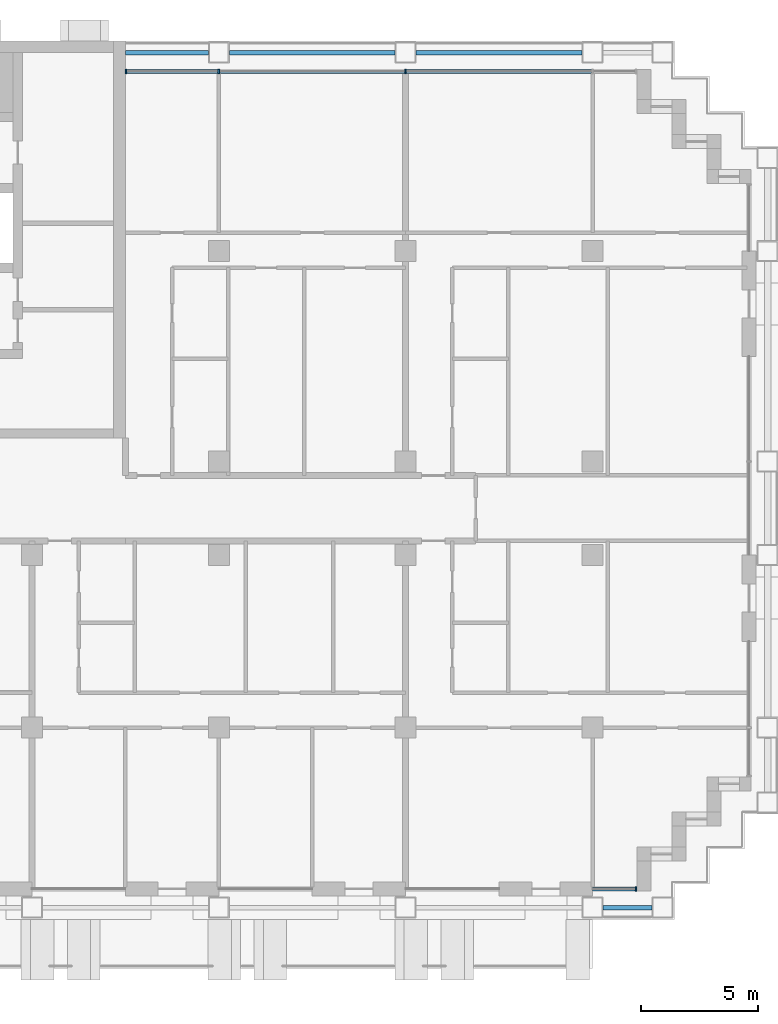
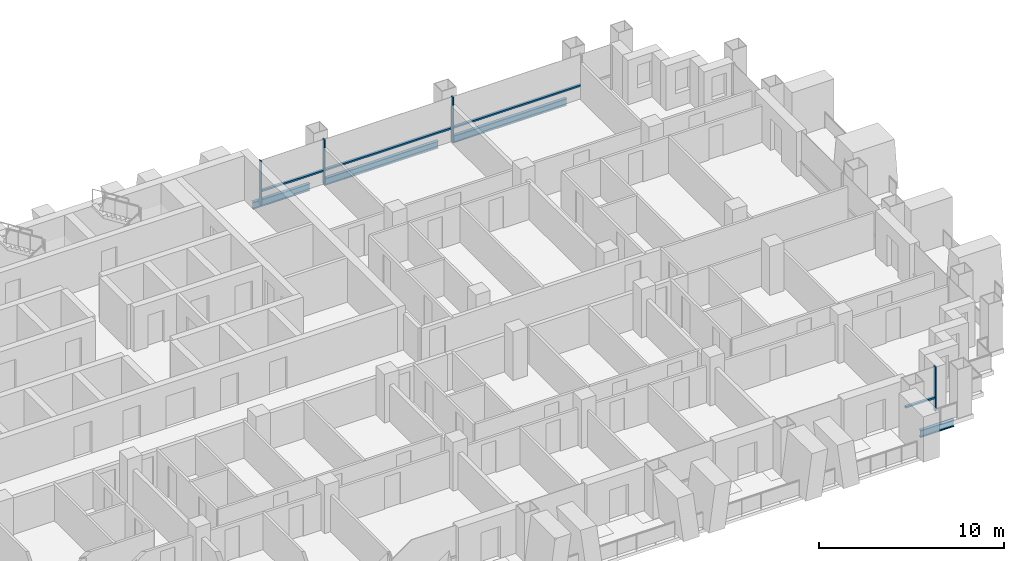
# One storey, part 5 of 18: 8 members, 4 beams, 2 elements without a shape of their own.
"""IFC4 building model written with IfcOpenShell, lengths in metres."""

from ifc_helpers import new_model, si_unit, direction, frame, origin, origin_2d, place, context, subcontext, project, spatial, rectangle, i_section, extrude, material, material_profile, profile_set, type_object, element, aggregate, save


model = new_model("IFC4")

# Units and contexts
model_context = context("Model", 3, precision=1e-05, world=origin(), true_north=direction((0.0, 1.0)))
body_context = subcontext(model_context, "Body", "Model", "MODEL_VIEW")
ifc_project = project(units=[si_unit("LENGTHUNIT", "METRE"), si_unit("AREAUNIT", "SQUARE_METRE"), si_unit("VOLUMEUNIT", "CUBIC_METRE"), si_unit("PLANEANGLEUNIT", "RADIAN"), si_unit("MASSUNIT", "GRAM", prefix="KILO")], contexts=[model_context])

# Site, building, storey
site_placement = place(None, origin())
site = spatial("IfcSite", under=ifc_project, at=site_placement, CompositionType="ELEMENT")
building_placement = place(site_placement, origin())
building = spatial("IfcBuilding", under=site, at=building_placement, Name="Vidyagriha Tower", CompositionType="ELEMENT")
storey_placement = place(building_placement, frame((0.0, 0.0, 83.89990234375)))
storey = spatial("IfcBuildingStorey", under=building, at=storey_placement, Name="L21", CompositionType="ELEMENT", Elevation=83.89990234375)

# Beams
ifc_material_1 = material(Name="Steel ASTM A992 Grade 50", Category="steel")
ifc_material_profile_1 = material_profile(ifc_material_1, i_section(OverallWidth=0.19189453125, OverallDepth=0.46240234375, WebThickness=0.010498046875, FlangeThickness=0.017578125, at=origin_2d()), Name="W18X60")
ifc_profile_set_1 = profile_set([ifc_material_profile_1], Name="Steel ASTM A992 Grade 50")
beam_type = type_object("IfcBeamType", Name="Edge beam W18X60", PredefinedType="SPANDREL", material=ifc_profile_set_1)
beam_1_placement = place(storey_placement, frame((34.449951171875, -17.10009765625, -0.510986328125), z_axis=(1.0, 0.0, 0.0), x_axis=(0.0, 1.0, 0.0)))
element("IfcBeam", 1, at=beam_1_placement, inside=storey, type_object=beam_type, Name="st-beam-L21-S09", PredefinedType="SPANDREL", context=body_context, shape_type="SweptSolid", body=[
    extrude(i_section(OverallWidth=0.19189453125, OverallDepth=0.46240234375, WebThickness=0.010498046875, FlangeThickness=0.017578125, at=origin_2d()), origin(), (0.0, 0.0, 1.0), 2.10009765625),
])
for number, where, z_axis, x_axis, name in (
    (2, (18.449951171875, 19.5, -0.510986328125), (1.0, 0.0, 0.0), (0.0, 1.0, 0.0), "st-beam-L21-NE21"),
    (3, (26.449951171875, 19.5, -0.510986328125), (1.0, 0.0, 0.0), (0.0, 1.0, 0.0), "st-beam-L21-NE22"),
):
    element("IfcBeam", number, at=place(storey_placement, frame(where, z_axis=z_axis, x_axis=x_axis)), inside=storey, type_object=beam_type, Name=name, PredefinedType="SPANDREL", context=body_context, shape_type="SweptSolid", body=[
        extrude(i_section(OverallWidth=0.19189453125, OverallDepth=0.46240234375, WebThickness=0.010498046875, FlangeThickness=0.017578125, at=origin_2d()), origin(), (0.0, 0.0, 1.0), 7.10009765625),
    ])
beam_2_placement = place(storey_placement, frame((14.0, 19.5, -0.510986328125), z_axis=(1.0, 0.0, 0.0), x_axis=(0.0, 1.0, 0.0)))
element("IfcBeam", 4, at=beam_2_placement, inside=storey, type_object=beam_type, Name="st-beam-L21-NC25", PredefinedType="SPANDREL", context=body_context, shape_type="SweptSolid", body=[
    extrude(i_section(OverallWidth=0.19189453125, OverallDepth=0.46240234375, WebThickness=0.010498046875, FlangeThickness=0.017578125, at=origin_2d()), origin(), (0.0, 0.0, 1.0), 3.550048828125),
])

# Curtain wall, members
ifc_material_2 = material(Name="Aluminium and glass curtain wall", Category="aluminium")
curtain_wall_type = type_object("IfcCurtainWallType", Name="Dwelling skin unitised curtain wall", PredefinedType="USERDEFINED", material=ifc_material_2)
curtain_wall_1_placement = place(storey_placement, origin())
curtain_wall_1 = element("IfcCurtainWall", 5, at=curtain_wall_1_placement, inside=storey, type_object=curtain_wall_type, Name="CW1 dwelling skin", ObjectType="UNITISED", PredefinedType="USERDEFINED")
ifc_material_3 = material(Name="Aluminium black anodised", Category="aluminium")
ifc_material_profile_2 = material_profile(ifc_material_3, rectangle(XDim=0.199951171875, YDim=0.070068359375, at=origin_2d()), Name="Mullion 70x200 black aluminium")
ifc_profile_set_2 = profile_set([ifc_material_profile_2], Name="Aluminium black anodised")
member_type_1 = type_object("IfcMemberType", Name="Mullion 70x200 black aluminium", PredefinedType="MULLION", material=ifc_profile_set_2)
member_1_placement = place(storey_placement, frame((26.0, 18.699951171875, 0.0), z_axis=(0.0, 0.0, 1.0), x_axis=(0.0, -1.0, 0.0)))
member_1 = element("IfcMember", 6, at=member_1_placement, type_object=member_type_1, Name="CW1 mullion 3", PredefinedType="MULLION", context=body_context, shape_type="SweptSolid", body=[
    extrude(rectangle(XDim=0.199951171875, YDim=0.070068359375, at=origin_2d()), origin(), (0.0, 0.0, 1.0), 2.920166015625),
])
member_2_placement = place(storey_placement, frame((18.0, 18.699951171875, 0.0), z_axis=(0.0, 0.0, 1.0), x_axis=(0.0, -1.0, 0.0)))
member_2 = element("IfcMember", 7, at=member_2_placement, type_object=member_type_1, Name="CW1 mullion 4", PredefinedType="MULLION", context=body_context, shape_type="SweptSolid", body=[
    extrude(rectangle(XDim=0.199951171875, YDim=0.070068359375, at=origin_2d()), origin(), (0.0, 0.0, 1.0), 2.920166015625),
])
member_3_placement = place(storey_placement, frame((14.034912109375, 18.699951171875, 0.0), z_axis=(0.0, 0.0, 1.0), x_axis=(0.0, -1.0, 0.0)))
member_3 = element("IfcMember", 8, at=member_3_placement, type_object=member_type_1, Name="CW1 mullion 5", PredefinedType="MULLION", context=body_context, shape_type="SweptSolid", body=[
    extrude(rectangle(XDim=0.199951171875, YDim=0.070068359375, at=origin_2d()), origin(), (0.0, 0.0, 1.0), 2.920166015625),
])

# Curtain wall, member
curtain_wall_2_placement = place(storey_placement, origin())
curtain_wall_2 = element("IfcCurtainWall", 9, at=curtain_wall_2_placement, inside=storey, type_object=curtain_wall_type, Name="CW1 dwelling skin", ObjectType="UNITISED", PredefinedType="USERDEFINED")
member_4_placement = place(storey_placement, frame((35.864990234375, -16.300048828125, 0.0), z_axis=(0.0, 0.0, 1.0), x_axis=(0.0, 1.0, 0.0)))
member_4 = element("IfcMember", 10, at=member_4_placement, type_object=member_type_1, Name="CW1 mullion 2", PredefinedType="MULLION", context=body_context, shape_type="SweptSolid", body=[
    extrude(rectangle(XDim=0.199951171875, YDim=0.070068359375, at=origin_2d()), origin(), (0.0, 0.0, 1.0), 2.920166015625),
])

# Member
ifc_material_4 = material(Name="Aluminium black anodised", Category="aluminium")
ifc_material_profile_3 = material_profile(ifc_material_4, rectangle(XDim=0.159912109375, YDim=0.10009765625, at=origin_2d()), Name="Transom 100x160 black aluminium")
ifc_profile_set_3 = profile_set([ifc_material_profile_3], Name="Aluminium black anodised")
member_type_2 = type_object("IfcMemberType", Name="Transom 100x160 black aluminium", PredefinedType="USERDEFINED", material=ifc_profile_set_3)
member_5_placement = place(storey_placement, frame((33.965087890625, 18.699951171875, 0.900146484375), z_axis=(-1.0, 0.0, 0.0), x_axis=(0.0, -1.0, 0.0)))
member_5 = element("IfcMember", 11, at=member_5_placement, type_object=member_type_2, Name="CW1 transom 2.1", ObjectType="TRANSOM", PredefinedType="USERDEFINED", context=body_context, shape_type="SweptSolid", body=[
    extrude(rectangle(XDim=0.159912109375, YDim=0.10009765625, at=origin_2d()), origin(), (0.0, 0.0, 1.0), 7.93017578125),
])

member_6_placement = place(storey_placement, frame((25.965087890625, 18.699951171875, 0.900146484375), z_axis=(-1.0, 0.0, 0.0), x_axis=(0.0, -1.0, 0.0)))
member_6 = element("IfcMember", 12, at=member_6_placement, type_object=member_type_2, Name="CW1 transom 3.1", ObjectType="TRANSOM", PredefinedType="USERDEFINED", context=body_context, shape_type="SweptSolid", body=[
    extrude(rectangle(XDim=0.159912109375, YDim=0.10009765625, at=origin_2d()), origin(), (0.0, 0.0, 1.0), 7.93017578125),
])

member_7_placement = place(storey_placement, frame((17.965087890625, 18.699951171875, 0.900146484375), z_axis=(-1.0, 0.0, 0.0), x_axis=(0.0, -1.0, 0.0)))
member_7 = element("IfcMember", 13, at=member_7_placement, type_object=member_type_2, Name="CW1 transom 4.1", ObjectType="TRANSOM", PredefinedType="USERDEFINED", context=body_context, shape_type="SweptSolid", body=[
    extrude(rectangle(XDim=0.159912109375, YDim=0.10009765625, at=origin_2d()), origin(), (0.0, 0.0, 1.0), 3.89501953125),
])

aggregate(curtain_wall_1, [member_1, member_2, member_3, member_5, member_6, member_7])

member_8_placement = place(storey_placement, frame((34.0, -16.300048828125, 0.900146484375), z_axis=(1.0, 0.0, 0.0), x_axis=(0.0, 1.0, 0.0)))
member_8 = element("IfcMember", 14, at=member_8_placement, type_object=member_type_2, Name="CW1 transom 1.1", ObjectType="TRANSOM", PredefinedType="USERDEFINED", context=body_context, shape_type="SweptSolid", body=[
    extrude(rectangle(XDim=0.159912109375, YDim=0.10009765625, at=origin_2d()), origin(), (0.0, 0.0, 1.0), 1.830078125),
])

aggregate(curtain_wall_2, [member_4, member_8])

save(model, "model.ifc")
